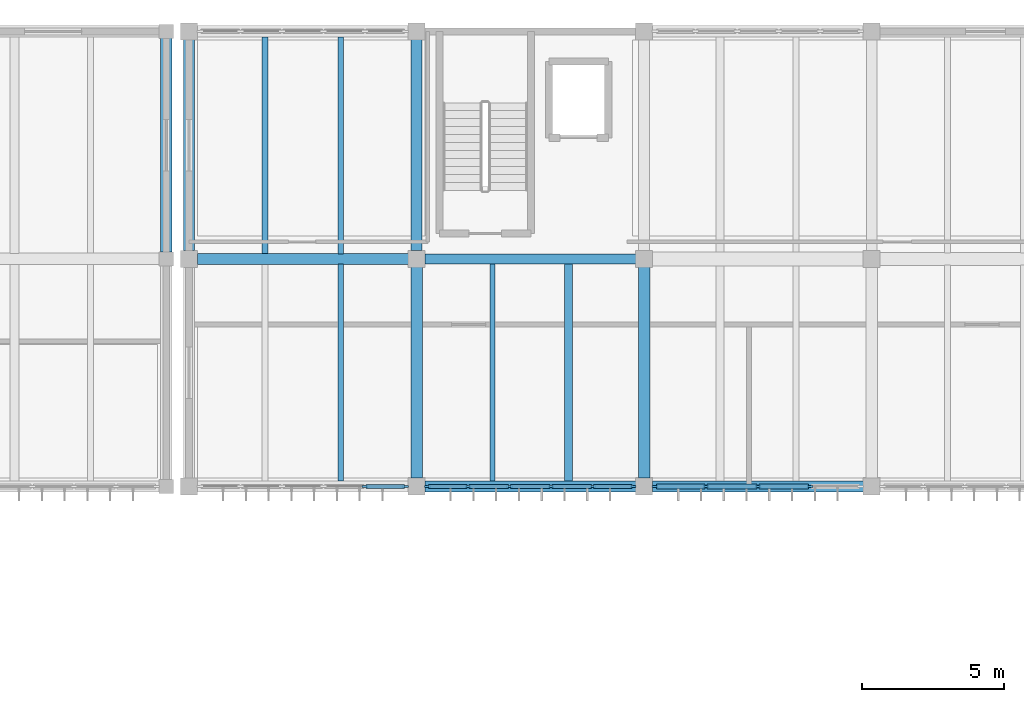
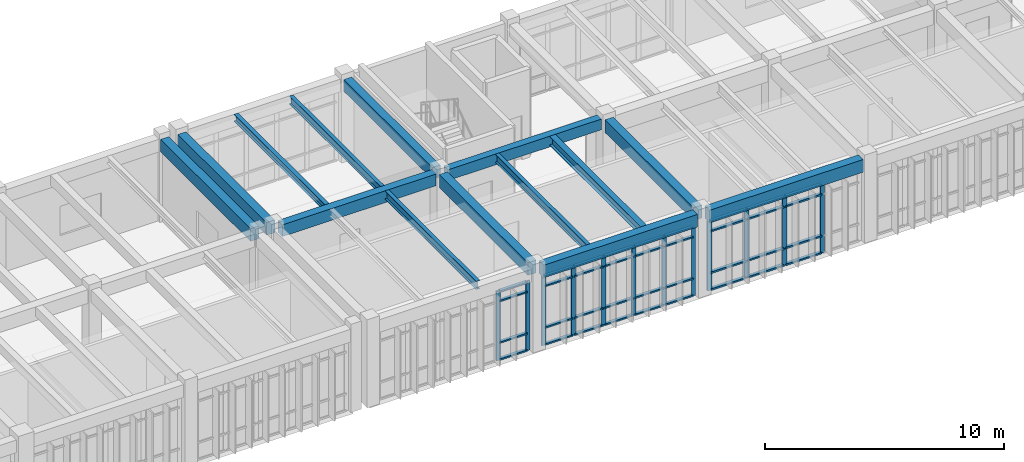
# One storey, part 27 of 79: 48 members, 14 beams, 3 elements without a shape of their own.
"""IFC4 building model written with IfcOpenShell, lengths in metres."""

import ifcopenshell
import ifcopenshell.guid

model = None  # the IFC model being written
_history = None  # IfcOwnerHistory: only IFC2X3 demands one
_inside = {}  # id of a spatial element -> (the spatial element, [elements in it])
_under = {}  # id of a project, library or spatial element -> (it, [spatial elements below it])
_declared = {}  # id of a project -> (the project, [libraries it declares])
_typed = {}  # id of a type object -> (the type object, [elements of that type])
_made_of = {}  # id of a material, layer set ... -> (it, [elements and type objects made of it])


def new_model(schema):
    """Start an empty IFC model of exactly this schema.

    Asked for "IFC4X3", IfcOpenShell would pick the latest addendum, in which some entities
    have other attributes; the version numbers below select the first issue.
    IFC2X3 requires an IfcOwnerHistory on every rooted entity: one is made here for all.
    """
    global model, _history
    if schema == "IFC4X3":
        model = ifcopenshell.file(schema_version=(4, 3, 0, 0))
    else:
        model = ifcopenshell.file(schema=schema)
    _inside.clear()
    _under.clear()
    _declared.clear()
    _typed.clear()
    _made_of.clear()
    _history = None
    if model.schema == "IFC2X3":
        org = make("IfcOrganization", Name="unknown")
        user = make(
            "IfcPersonAndOrganization",
            ThePerson=make("IfcPerson", FamilyName="unknown"),
            TheOrganization=org,
        )
        app = make(
            "IfcApplication",
            ApplicationDeveloper=org,
            Version="unknown",
            ApplicationFullName="unknown",
            ApplicationIdentifier="unknown",
        )
        _history = make(
            "IfcOwnerHistory",
            OwningUser=user,
            OwningApplication=app,
            ChangeAction="ADDED",
            CreationDate=0,
        )
    return model


def make(cls, **values):
    """One entity of the class cls with the attributes given. An attribute that is None is left unset."""
    return model.create_entity(
        cls, **{name: value for name, value in values.items() if value is not None}
    )


def rooted(cls, **values):
    """An entity with a GlobalId (a new one), such as an element, a storey or a relation."""
    return make(cls, GlobalId=ifcopenshell.guid.new(), OwnerHistory=_history, **values)


def si_unit(unit_type, name, prefix=None):
    """IfcSIUnit, for example si_unit("LENGTHUNIT", "METRE", prefix="MILLI")."""
    return make("IfcSIUnit", UnitType=unit_type, Prefix=prefix, Name=name)


def assignment(units):
    """IfcUnitAssignment: the units of a project."""
    return None if units is None else make("IfcUnitAssignment", Units=units)


def point(xyz):
    """IfcCartesianPoint."""
    return None if xyz is None else make("IfcCartesianPoint", Coordinates=xyz)


def direction(xyz):
    """IfcDirection."""
    return None if xyz is None else make("IfcDirection", DirectionRatios=xyz)


def frame(location, z_axis=None, x_axis=None):
    """IfcAxis2Placement3D, a coordinate frame: its origin and axes. An axis left out is left unset."""
    return make(
        "IfcAxis2Placement3D",
        Location=point(location),
        Axis=direction(z_axis),
        RefDirection=direction(x_axis),
    )


def frame_2d(location, x_axis=None):
    """IfcAxis2Placement2D, a coordinate frame in the plane: its origin and x axis."""
    return make(
        "IfcAxis2Placement2D", Location=point(location), RefDirection=direction(x_axis)
    )


def origin():
    """The frame at (0, 0, 0) with its axes left unset."""
    return frame((0.0, 0.0, 0.0))


def origin_2d():
    """The frame at (0, 0) in the plane with its x axis left unset."""
    return frame_2d((0.0, 0.0))


def place(relative_to, where):
    """IfcLocalPlacement: puts the frame where relative to a parent placement (None: the world)."""
    return make(
        "IfcLocalPlacement", PlacementRelTo=relative_to, RelativePlacement=where
    )


def context(
    kind, dimensions, precision=None, world=None, true_north=None, identifier=None
):
    """IfcGeometricRepresentationContext, for example the 3D "Model" context."""
    return make(
        "IfcGeometricRepresentationContext",
        ContextIdentifier=identifier,
        ContextType=kind,
        CoordinateSpaceDimension=dimensions,
        Precision=precision,
        WorldCoordinateSystem=world,
        TrueNorth=true_north,
    )


def subcontext(parent, identifier, kind, view, scale=None):
    """IfcGeometricRepresentationSubContext, for example "Body" below "Model"."""
    return make(
        "IfcGeometricRepresentationSubContext",
        ContextIdentifier=identifier,
        ContextType=kind,
        ParentContext=parent,
        TargetScale=scale,
        TargetView=view,
    )


def project(units=None, contexts=None):
    """IfcProject with its units and contexts."""
    return rooted(
        "IfcProject",
        Name="project",
        RepresentationContexts=contexts,
        UnitsInContext=assignment(units),
    )


def spatial(cls, under=None, at=None, **own):
    """A site, building, storey or space (cls), placed at a placement, below another one or the project."""
    s = rooted(cls, ObjectPlacement=at, **own)
    if under is not None:
        _under.setdefault(under.id(), (under, []))[1].append(s)
    return s


def profile(cls, at=None, kind="AREA", **sizes):
    """A parametric profile (cls). Its sizes go by their IFC names, for example OverallWidth=200.0."""
    return make(cls, ProfileType=kind, Position=at, **sizes)


def rectangle(**sizes):
    """IfcRectangleProfileDef."""
    return profile("IfcRectangleProfileDef", **sizes)


def i_section(**sizes):
    """IfcIShapeProfileDef."""
    return profile("IfcIShapeProfileDef", **sizes)


def extrude(swept, where, along, depth):
    """IfcExtrudedAreaSolid: the profile swept, set in the frame where, extruded along a direction by depth."""
    return make(
        "IfcExtrudedAreaSolid",
        SweptArea=swept,
        Position=where,
        ExtrudedDirection=direction(along),
        Depth=depth,
    )


def shape(context_of_items, identifier, shape_type, items):
    """IfcShapeRepresentation: the items that make up one representation, for example the "Body"."""
    return make(
        "IfcShapeRepresentation",
        ContextOfItems=context_of_items,
        RepresentationIdentifier=identifier,
        RepresentationType=shape_type,
        Items=items,
    )


def material(Name=None, Category=None):
    """IfcMaterial."""
    return make("IfcMaterial", Name=Name, Category=Category)


def material_profile(
    of_material, cross_section, Name=None, Category=None, Priority=None
):
    """IfcMaterialProfile: a cross section and its material."""
    return make(
        "IfcMaterialProfile",
        Name=Name,
        Material=of_material,
        Profile=cross_section,
        Priority=Priority,
        Category=Category,
    )


def profile_set(profiles, Name=None, composite=None):
    """IfcMaterialProfileSet."""
    return make(
        "IfcMaterialProfileSet",
        Name=Name,
        MaterialProfiles=profiles,
        CompositeProfile=composite,
    )


def made_of(thing, what):
    """Note that an element or type object is made of a material, layer set ...; save() writes the relation."""
    if what is not None:
        _made_of.setdefault(what.id(), (what, []))[1].append(thing)
    return thing


def type_object(cls, material=None, **own):
    """A type object (cls), such as IfcWallType, which elements share."""
    return made_of(rooted(cls, **own), material)


def element(
    cls,
    number,
    at=None,
    inside=None,
    cuts=None,
    type_object=None,
    material=None,
    context=None,
    identifier="Body",
    shape_type=None,
    held_by="IfcProductDefinitionShape",
    body=None,
    shapes=None,
    **own,
):
    """One element of the class cls, such as IfcWall. Its Tag is "e" and its number.

    at: its placement. inside: the storey or other place that contains it. cuts: it is an
    opening in that element (IfcRelVoidsElement). A single representation is given by context,
    identifier, shape_type and body (its items); several are given by shapes. held_by: the class
    of the entity that holds the representations. save() writes the other relations.
    """
    e = rooted(cls, Tag="e%d" % number, ObjectPlacement=at, **own)
    if body is not None:
        shapes = [shape(context, identifier, shape_type, body)]
    if shapes is not None:
        e.Representation = make(held_by, Representations=shapes)
    if inside is not None:
        _inside.setdefault(inside.id(), (inside, []))[1].append(e)
    if cuts is not None:
        rooted(
            "IfcRelVoidsElement", RelatingBuildingElement=cuts, RelatedOpeningElement=e
        )
    if type_object is not None:
        _typed.setdefault(type_object.id(), (type_object, []))[1].append(e)
    return made_of(e, material)


def aggregate(whole, parts):
    """IfcRelAggregates: a whole, such as a stair, and the parts it consists of."""
    return rooted("IfcRelAggregates", RelatingObject=whole, RelatedObjects=parts)


def save(model, path):
    """Write the relations noted so far, then the file.

    IfcRelAggregates (storeys below a building ...), IfcRelContainedInSpatialStructure (elements
    in a storey), IfcRelDefinesByType, IfcRelAssociatesMaterial and IfcRelDeclares: one each for
    every whole, place, type object, material and project.
    """
    for whole, parts in _under.values():
        aggregate(whole, parts)
    for where, things in _inside.values():
        rooted(
            "IfcRelContainedInSpatialStructure",
            RelatedElements=things,
            RelatingStructure=where,
        )
    for kind, things in _typed.values():
        rooted("IfcRelDefinesByType", RelatedObjects=things, RelatingType=kind)
    for what, things in _made_of.values():
        rooted("IfcRelAssociatesMaterial", RelatedObjects=things, RelatingMaterial=what)
    for by, libraries in _declared.values():
        rooted("IfcRelDeclares", RelatingContext=by, RelatedDefinitions=libraries)
    model.write(path)


model = new_model("IFC4")

# Units and contexts
model_context = context("Model", 3, precision=1e-05, world=origin(), true_north=direction((0.0, 1.0)))
body_context = subcontext(model_context, "Body", "Model", "MODEL_VIEW")
ifc_project = project(units=[si_unit("LENGTHUNIT", "METRE"), si_unit("AREAUNIT", "SQUARE_METRE"), si_unit("VOLUMEUNIT", "CUBIC_METRE"), si_unit("PLANEANGLEUNIT", "RADIAN"), si_unit("MASSUNIT", "GRAM", prefix="KILO")], contexts=[model_context])

# Site, building, storey
site_placement = place(None, origin())
site = spatial("IfcSite", under=ifc_project, at=site_placement, CompositionType="ELEMENT")
building_placement = place(site_placement, origin())
building = spatial("IfcBuilding", under=site, at=building_placement, Name="Tlaxcora Railside Police Headquarters", CompositionType="ELEMENT")
storey_placement = place(building_placement, frame((0.0, 0.0, 9.0)))
storey = spatial("IfcBuildingStorey", under=building, at=storey_placement, Name="L02", CompositionType="ELEMENT", Elevation=9.0)

# Curtain wall, members
ifc_material_1 = material(Name="Thermally broken low-E insulated glazing", Category="glass")
curtain_wall_type_1 = type_object("IfcCurtainWallType", Name="Unitised Curtain Wall Assembly CW-38", PredefinedType="NOTDEFINED", material=ifc_material_1)
curtain_wall_1_placement = place(storey_placement, origin())
curtain_wall_1 = element("IfcCurtainWall", 1, at=curtain_wall_1_placement, inside=storey, type_object=curtain_wall_type_1, Name="V6 L02 curtain wall 153", PredefinedType="NOTDEFINED")
ifc_material_2 = material(Name="Anodised aluminium framing", Category="aluminium")
ifc_material_profile_1 = material_profile(ifc_material_2, rectangle(XDim=0.074951171875, YDim=0.205078125, at=origin_2d()), Name="AL75X205")
ifc_profile_set_1 = profile_set([ifc_material_profile_1], Name="Anodised aluminium framing")
member_type_1 = type_object("IfcMemberType", Name="Curtain Wall Mullion CW-32", PredefinedType="MULLION", material=ifc_profile_set_1)
member_1_placement = place(storey_placement, frame((108.989990234375, 76.800048828125, 0.0), z_axis=(0.0, 0.0, 1.0), x_axis=(0.0, 1.0, 0.0)))
member_1 = element("IfcMember", 2, at=member_1_placement, type_object=member_type_1, Name="CW mullion 5", PredefinedType="MULLION", context=body_context, shape_type="SweptSolid", body=[
    extrude(rectangle(XDim=0.074951171875, YDim=0.205078125, at=origin_2d()), origin(), (0.0, 0.0, 1.0), 3.550048828125),
])
member_2_placement = place(storey_placement, frame((110.41259765625, 76.800048828125, 0.0), z_axis=(0.0, 0.0, 1.0), x_axis=(0.0, 1.0, 0.0)))
member_2 = element("IfcMember", 3, at=member_2_placement, type_object=member_type_1, Name="CW mullion 6", PredefinedType="MULLION", context=body_context, shape_type="SweptSolid", body=[
    extrude(rectangle(XDim=0.074951171875, YDim=0.205078125, at=origin_2d()), origin(), (0.0, 0.0, 1.0), 3.550048828125),
])

curtain_wall_type_2 = type_object("IfcCurtainWallType", Name="Unitised Curtain Wall Assembly CW-15", PredefinedType="NOTDEFINED", material=ifc_material_1)
curtain_wall_2_placement = place(storey_placement, origin())
curtain_wall_2 = element("IfcCurtainWall", 4, at=curtain_wall_2_placement, inside=storey, type_object=curtain_wall_type_2, Name="V6 L02 curtain wall 154", PredefinedType="NOTDEFINED")
ifc_material_profile_2 = material_profile(ifc_material_2, rectangle(XDim=0.074951171875, YDim=0.199951171875, at=origin_2d()), Name="AL75X200")
ifc_profile_set_2 = profile_set([ifc_material_profile_2], Name="Anodised aluminium framing")
member_type_2 = type_object("IfcMemberType", Name="Curtain Wall Mullion CW-58", PredefinedType="MULLION", material=ifc_profile_set_2)
member_3_placement = place(storey_placement, frame((111.1875, 76.800048828125, 0.0), z_axis=(0.0, 0.0, 1.0), x_axis=(0.0, 1.0, 0.0)))
member_3 = element("IfcMember", 5, at=member_3_placement, type_object=member_type_2, Name="CW mullion 1", PredefinedType="MULLION", context=body_context, shape_type="SweptSolid", body=[
    extrude(rectangle(XDim=0.074951171875, YDim=0.199951171875, at=origin_2d()), origin(), (0.0, 0.0, 1.0), 3.550048828125),
])
member_4_placement = place(storey_placement, frame((112.610107421875, 76.800048828125, 0.0), z_axis=(0.0, 0.0, 1.0), x_axis=(0.0, 1.0, 0.0)))
member_4 = element("IfcMember", 6, at=member_4_placement, type_object=member_type_2, Name="CW mullion 2", PredefinedType="MULLION", context=body_context, shape_type="SweptSolid", body=[
    extrude(rectangle(XDim=0.074951171875, YDim=0.199951171875, at=origin_2d()), origin(), (0.0, 0.0, 1.0), 3.550048828125),
])
member_5_placement = place(storey_placement, frame((114.070068359375, 76.800048828125, 0.0), z_axis=(0.0, 0.0, 1.0), x_axis=(0.0, 1.0, 0.0)))
member_5 = element("IfcMember", 7, at=member_5_placement, type_object=member_type_2, Name="CW mullion 3", PredefinedType="MULLION", context=body_context, shape_type="SweptSolid", body=[
    extrude(rectangle(XDim=0.074951171875, YDim=0.199951171875, at=origin_2d()), origin(), (0.0, 0.0, 1.0), 3.550048828125),
])
member_6_placement = place(storey_placement, frame((115.530029296875, 76.800048828125, 0.0), z_axis=(0.0, 0.0, 1.0), x_axis=(0.0, 1.0, 0.0)))
member_6 = element("IfcMember", 8, at=member_6_placement, type_object=member_type_2, Name="CW mullion 4", PredefinedType="MULLION", context=body_context, shape_type="SweptSolid", body=[
    extrude(rectangle(XDim=0.074951171875, YDim=0.199951171875, at=origin_2d()), origin(), (0.0, 0.0, 1.0), 3.550048828125),
])
member_7_placement = place(storey_placement, frame((116.989990234375, 76.800048828125, 0.0), z_axis=(0.0, 0.0, 1.0), x_axis=(0.0, 1.0, 0.0)))
member_7 = element("IfcMember", 9, at=member_7_placement, type_object=member_type_2, Name="CW mullion 5", PredefinedType="MULLION", context=body_context, shape_type="SweptSolid", body=[
    extrude(rectangle(XDim=0.074951171875, YDim=0.199951171875, at=origin_2d()), origin(), (0.0, 0.0, 1.0), 3.550048828125),
])
member_8_placement = place(storey_placement, frame((118.41259765625, 76.800048828125, 0.0), z_axis=(0.0, 0.0, 1.0), x_axis=(0.0, 1.0, 0.0)))
member_8 = element("IfcMember", 10, at=member_8_placement, type_object=member_type_2, Name="CW mullion 6", PredefinedType="MULLION", context=body_context, shape_type="SweptSolid", body=[
    extrude(rectangle(XDim=0.074951171875, YDim=0.199951171875, at=origin_2d()), origin(), (0.0, 0.0, 1.0), 3.550048828125),
])

curtain_wall_type_3 = type_object("IfcCurtainWallType", Name="Unitised Curtain Wall Assembly CW-83", PredefinedType="NOTDEFINED", material=ifc_material_1)
curtain_wall_3_placement = place(storey_placement, origin())
curtain_wall_3 = element("IfcCurtainWall", 11, at=curtain_wall_3_placement, inside=storey, type_object=curtain_wall_type_3, Name="V6 L02 curtain wall 155", PredefinedType="NOTDEFINED")
ifc_material_profile_3 = material_profile(ifc_material_2, rectangle(XDim=0.080078125, YDim=0.2099609375, at=origin_2d()), Name="AL80X210")
ifc_profile_set_3 = profile_set([ifc_material_profile_3], Name="Anodised aluminium framing")
member_type_3 = type_object("IfcMemberType", Name="Curtain Wall Mullion CW-76", PredefinedType="MULLION", material=ifc_profile_set_3)
member_9_placement = place(storey_placement, frame((119.18994140625, 76.800048828125, 0.0), z_axis=(0.0, 0.0, 1.0), x_axis=(0.0, 1.0, 0.0)))
member_9 = element("IfcMember", 12, at=member_9_placement, type_object=member_type_3, Name="CW mullion 1", PredefinedType="MULLION", context=body_context, shape_type="SweptSolid", body=[
    extrude(rectangle(XDim=0.080078125, YDim=0.2099609375, at=origin_2d()), origin(), (0.0, 0.0, 1.0), 3.550048828125),
])
member_10_placement = place(storey_placement, frame((120.97509765625, 76.800048828125, 0.0), z_axis=(0.0, 0.0, 1.0), x_axis=(0.0, 1.0, 0.0)))
member_10 = element("IfcMember", 13, at=member_10_placement, type_object=member_type_3, Name="CW mullion 2", PredefinedType="MULLION", context=body_context, shape_type="SweptSolid", body=[
    extrude(rectangle(XDim=0.080078125, YDim=0.2099609375, at=origin_2d()), origin(), (0.0, 0.0, 1.0), 3.550048828125),
])
member_11_placement = place(storey_placement, frame((122.800048828125, 76.800048828125, 0.0), z_axis=(0.0, 0.0, 1.0), x_axis=(0.0, 1.0, 0.0)))
member_11 = element("IfcMember", 14, at=member_11_placement, type_object=member_type_3, Name="CW mullion 3", PredefinedType="MULLION", context=body_context, shape_type="SweptSolid", body=[
    extrude(rectangle(XDim=0.080078125, YDim=0.2099609375, at=origin_2d()), origin(), (0.0, 0.0, 1.0), 3.550048828125),
])
member_12_placement = place(storey_placement, frame((124.625, 76.800048828125, 0.0), z_axis=(0.0, 0.0, 1.0), x_axis=(0.0, 1.0, 0.0)))
member_12 = element("IfcMember", 15, at=member_12_placement, type_object=member_type_3, Name="CW mullion 4", PredefinedType="MULLION", context=body_context, shape_type="SweptSolid", body=[
    extrude(rectangle(XDim=0.080078125, YDim=0.2099609375, at=origin_2d()), origin(), (0.0, 0.0, 1.0), 3.550048828125),
])

# Member
ifc_material_profile_4 = material_profile(ifc_material_2, rectangle(XDim=0.14990234375, YDim=0.074951171875, at=origin_2d()), Name="AL75X150")
ifc_profile_set_4 = profile_set([ifc_material_profile_4], Name="Anodised aluminium framing")
member_type_4 = type_object("IfcMemberType", Name="Curtain Wall Transom CW-28", PredefinedType="USERDEFINED", material=ifc_profile_set_4)
member_13_placement = place(storey_placement, frame((111.22509765625, 76.800048828125, 0.03759765625), z_axis=(1.0, 0.0, 0.0), x_axis=(0.0, 1.0, 0.0)))
member_13 = element("IfcMember", 16, at=member_13_placement, type_object=member_type_4, Name="CW transom 1.1", ObjectType="TRANSOM", PredefinedType="USERDEFINED", context=body_context, shape_type="SweptSolid", body=[
    extrude(rectangle(XDim=0.14990234375, YDim=0.074951171875, at=origin_2d()), origin(), (0.0, 0.0, 1.0), 1.347412109375),
])

member_14_placement = place(storey_placement, frame((111.22509765625, 76.800048828125, 0.89990234375), z_axis=(1.0, 0.0, 0.0), x_axis=(0.0, 1.0, 0.0)))
member_14 = element("IfcMember", 17, at=member_14_placement, type_object=member_type_4, Name="CW transom 1.2", ObjectType="TRANSOM", PredefinedType="USERDEFINED", context=body_context, shape_type="SweptSolid", body=[
    extrude(rectangle(XDim=0.14990234375, YDim=0.074951171875, at=origin_2d()), origin(), (0.0, 0.0, 1.0), 1.347412109375),
])

member_15_placement = place(storey_placement, frame((111.22509765625, 76.800048828125, 3.02001953125), z_axis=(1.0, 0.0, 0.0), x_axis=(0.0, 1.0, 0.0)))
member_15 = element("IfcMember", 18, at=member_15_placement, type_object=member_type_4, Name="CW transom 1.3", ObjectType="TRANSOM", PredefinedType="USERDEFINED", context=body_context, shape_type="SweptSolid", body=[
    extrude(rectangle(XDim=0.14990234375, YDim=0.074951171875, at=origin_2d()), origin(), (0.0, 0.0, 1.0), 1.347412109375),
])

member_16_placement = place(storey_placement, frame((111.22509765625, 76.800048828125, 3.512451171875), z_axis=(1.0, 0.0, 0.0), x_axis=(0.0, 1.0, 0.0)))
member_16 = element("IfcMember", 19, at=member_16_placement, type_object=member_type_4, Name="CW transom 1.4", ObjectType="TRANSOM", PredefinedType="USERDEFINED", context=body_context, shape_type="SweptSolid", body=[
    extrude(rectangle(XDim=0.14990234375, YDim=0.074951171875, at=origin_2d()), origin(), (0.0, 0.0, 1.0), 1.347412109375),
])

member_17_placement = place(storey_placement, frame((112.6474609375, 76.800048828125, 0.03759765625), z_axis=(1.0, 0.0, 0.0), x_axis=(0.0, 1.0, 0.0)))
member_17 = element("IfcMember", 20, at=member_17_placement, type_object=member_type_4, Name="CW transom 2.1", ObjectType="TRANSOM", PredefinedType="USERDEFINED", context=body_context, shape_type="SweptSolid", body=[
    extrude(rectangle(XDim=0.14990234375, YDim=0.074951171875, at=origin_2d()), origin(), (0.0, 0.0, 1.0), 1.385009765625),
])

member_18_placement = place(storey_placement, frame((112.6474609375, 76.800048828125, 0.89990234375), z_axis=(1.0, 0.0, 0.0), x_axis=(0.0, 1.0, 0.0)))
member_18 = element("IfcMember", 21, at=member_18_placement, type_object=member_type_4, Name="CW transom 2.2", ObjectType="TRANSOM", PredefinedType="USERDEFINED", context=body_context, shape_type="SweptSolid", body=[
    extrude(rectangle(XDim=0.14990234375, YDim=0.074951171875, at=origin_2d()), origin(), (0.0, 0.0, 1.0), 1.385009765625),
])

member_19_placement = place(storey_placement, frame((112.6474609375, 76.800048828125, 3.02001953125), z_axis=(1.0, 0.0, 0.0), x_axis=(0.0, 1.0, 0.0)))
member_19 = element("IfcMember", 22, at=member_19_placement, type_object=member_type_4, Name="CW transom 2.3", ObjectType="TRANSOM", PredefinedType="USERDEFINED", context=body_context, shape_type="SweptSolid", body=[
    extrude(rectangle(XDim=0.14990234375, YDim=0.074951171875, at=origin_2d()), origin(), (0.0, 0.0, 1.0), 1.385009765625),
])

member_20_placement = place(storey_placement, frame((112.6474609375, 76.800048828125, 3.512451171875), z_axis=(1.0, 0.0, 0.0), x_axis=(0.0, 1.0, 0.0)))
member_20 = element("IfcMember", 23, at=member_20_placement, type_object=member_type_4, Name="CW transom 2.4", ObjectType="TRANSOM", PredefinedType="USERDEFINED", context=body_context, shape_type="SweptSolid", body=[
    extrude(rectangle(XDim=0.14990234375, YDim=0.074951171875, at=origin_2d()), origin(), (0.0, 0.0, 1.0), 1.385009765625),
])

member_21_placement = place(storey_placement, frame((114.107421875, 76.800048828125, 0.03759765625), z_axis=(1.0, 0.0, 0.0), x_axis=(0.0, 1.0, 0.0)))
member_21 = element("IfcMember", 24, at=member_21_placement, type_object=member_type_4, Name="CW transom 3.1", ObjectType="TRANSOM", PredefinedType="USERDEFINED", context=body_context, shape_type="SweptSolid", body=[
    extrude(rectangle(XDim=0.14990234375, YDim=0.074951171875, at=origin_2d()), origin(), (0.0, 0.0, 1.0), 1.385009765625),
])

member_22_placement = place(storey_placement, frame((114.107421875, 76.800048828125, 0.89990234375), z_axis=(1.0, 0.0, 0.0), x_axis=(0.0, 1.0, 0.0)))
member_22 = element("IfcMember", 25, at=member_22_placement, type_object=member_type_4, Name="CW transom 3.2", ObjectType="TRANSOM", PredefinedType="USERDEFINED", context=body_context, shape_type="SweptSolid", body=[
    extrude(rectangle(XDim=0.14990234375, YDim=0.074951171875, at=origin_2d()), origin(), (0.0, 0.0, 1.0), 1.385009765625),
])

member_23_placement = place(storey_placement, frame((114.107421875, 76.800048828125, 3.02001953125), z_axis=(1.0, 0.0, 0.0), x_axis=(0.0, 1.0, 0.0)))
member_23 = element("IfcMember", 26, at=member_23_placement, type_object=member_type_4, Name="CW transom 3.3", ObjectType="TRANSOM", PredefinedType="USERDEFINED", context=body_context, shape_type="SweptSolid", body=[
    extrude(rectangle(XDim=0.14990234375, YDim=0.074951171875, at=origin_2d()), origin(), (0.0, 0.0, 1.0), 1.385009765625),
])

member_24_placement = place(storey_placement, frame((114.107421875, 76.800048828125, 3.512451171875), z_axis=(1.0, 0.0, 0.0), x_axis=(0.0, 1.0, 0.0)))
member_24 = element("IfcMember", 27, at=member_24_placement, type_object=member_type_4, Name="CW transom 3.4", ObjectType="TRANSOM", PredefinedType="USERDEFINED", context=body_context, shape_type="SweptSolid", body=[
    extrude(rectangle(XDim=0.14990234375, YDim=0.074951171875, at=origin_2d()), origin(), (0.0, 0.0, 1.0), 1.385009765625),
])

member_25_placement = place(storey_placement, frame((115.5673828125, 76.800048828125, 0.03759765625), z_axis=(1.0, 0.0, 0.0), x_axis=(0.0, 1.0, 0.0)))
member_25 = element("IfcMember", 28, at=member_25_placement, type_object=member_type_4, Name="CW transom 4.1", ObjectType="TRANSOM", PredefinedType="USERDEFINED", context=body_context, shape_type="SweptSolid", body=[
    extrude(rectangle(XDim=0.14990234375, YDim=0.074951171875, at=origin_2d()), origin(), (0.0, 0.0, 1.0), 1.385009765625),
])

member_26_placement = place(storey_placement, frame((115.5673828125, 76.800048828125, 0.89990234375), z_axis=(1.0, 0.0, 0.0), x_axis=(0.0, 1.0, 0.0)))
member_26 = element("IfcMember", 29, at=member_26_placement, type_object=member_type_4, Name="CW transom 4.2", ObjectType="TRANSOM", PredefinedType="USERDEFINED", context=body_context, shape_type="SweptSolid", body=[
    extrude(rectangle(XDim=0.14990234375, YDim=0.074951171875, at=origin_2d()), origin(), (0.0, 0.0, 1.0), 1.385009765625),
])

member_27_placement = place(storey_placement, frame((115.5673828125, 76.800048828125, 3.02001953125), z_axis=(1.0, 0.0, 0.0), x_axis=(0.0, 1.0, 0.0)))
member_27 = element("IfcMember", 30, at=member_27_placement, type_object=member_type_4, Name="CW transom 4.3", ObjectType="TRANSOM", PredefinedType="USERDEFINED", context=body_context, shape_type="SweptSolid", body=[
    extrude(rectangle(XDim=0.14990234375, YDim=0.074951171875, at=origin_2d()), origin(), (0.0, 0.0, 1.0), 1.385009765625),
])

member_28_placement = place(storey_placement, frame((115.5673828125, 76.800048828125, 3.512451171875), z_axis=(1.0, 0.0, 0.0), x_axis=(0.0, 1.0, 0.0)))
member_28 = element("IfcMember", 31, at=member_28_placement, type_object=member_type_4, Name="CW transom 4.4", ObjectType="TRANSOM", PredefinedType="USERDEFINED", context=body_context, shape_type="SweptSolid", body=[
    extrude(rectangle(XDim=0.14990234375, YDim=0.074951171875, at=origin_2d()), origin(), (0.0, 0.0, 1.0), 1.385009765625),
])

member_29_placement = place(storey_placement, frame((117.027587890625, 76.800048828125, 0.03759765625), z_axis=(1.0, 0.0, 0.0), x_axis=(0.0, 1.0, 0.0)))
member_29 = element("IfcMember", 32, at=member_29_placement, type_object=member_type_4, Name="CW transom 5.1", ObjectType="TRANSOM", PredefinedType="USERDEFINED", context=body_context, shape_type="SweptSolid", body=[
    extrude(rectangle(XDim=0.14990234375, YDim=0.074951171875, at=origin_2d()), origin(), (0.0, 0.0, 1.0), 1.347412109375),
])

member_30_placement = place(storey_placement, frame((117.027587890625, 76.800048828125, 0.89990234375), z_axis=(1.0, 0.0, 0.0), x_axis=(0.0, 1.0, 0.0)))
member_30 = element("IfcMember", 33, at=member_30_placement, type_object=member_type_4, Name="CW transom 5.2", ObjectType="TRANSOM", PredefinedType="USERDEFINED", context=body_context, shape_type="SweptSolid", body=[
    extrude(rectangle(XDim=0.14990234375, YDim=0.074951171875, at=origin_2d()), origin(), (0.0, 0.0, 1.0), 1.347412109375),
])

member_31_placement = place(storey_placement, frame((117.027587890625, 76.800048828125, 3.02001953125), z_axis=(1.0, 0.0, 0.0), x_axis=(0.0, 1.0, 0.0)))
member_31 = element("IfcMember", 34, at=member_31_placement, type_object=member_type_4, Name="CW transom 5.3", ObjectType="TRANSOM", PredefinedType="USERDEFINED", context=body_context, shape_type="SweptSolid", body=[
    extrude(rectangle(XDim=0.14990234375, YDim=0.074951171875, at=origin_2d()), origin(), (0.0, 0.0, 1.0), 1.347412109375),
])

member_32_placement = place(storey_placement, frame((117.027587890625, 76.800048828125, 3.512451171875), z_axis=(1.0, 0.0, 0.0), x_axis=(0.0, 1.0, 0.0)))
member_32 = element("IfcMember", 35, at=member_32_placement, type_object=member_type_4, Name="CW transom 5.4", ObjectType="TRANSOM", PredefinedType="USERDEFINED", context=body_context, shape_type="SweptSolid", body=[
    extrude(rectangle(XDim=0.14990234375, YDim=0.074951171875, at=origin_2d()), origin(), (0.0, 0.0, 1.0), 1.347412109375),
])

aggregate(curtain_wall_2, [member_3, member_4, member_5, member_6, member_7, member_8, member_13, member_14, member_15, member_16, member_17, member_18, member_19, member_20, member_21, member_22, member_23, member_24, member_25, member_26, member_27, member_28, member_29, member_30, member_31, member_32])

ifc_material_profile_5 = material_profile(ifc_material_2, rectangle(XDim=0.155029296875, YDim=0.074951171875, at=origin_2d()), Name="AL75X155")
ifc_profile_set_5 = profile_set([ifc_material_profile_5], Name="Anodised aluminium framing")
member_type_5 = type_object("IfcMemberType", Name="Curtain Wall Transom CW-30", PredefinedType="USERDEFINED", material=ifc_profile_set_5)
member_33_placement = place(storey_placement, frame((109.027587890625, 76.800048828125, 0.03759765625), z_axis=(1.0, 0.0, 0.0), x_axis=(0.0, 1.0, 0.0)))
member_33 = element("IfcMember", 36, at=member_33_placement, type_object=member_type_5, Name="CW transom 5.1", ObjectType="TRANSOM", PredefinedType="USERDEFINED", context=body_context, shape_type="SweptSolid", body=[
    extrude(rectangle(XDim=0.155029296875, YDim=0.074951171875, at=origin_2d()), origin(), (0.0, 0.0, 1.0), 1.347412109375),
])

member_34_placement = place(storey_placement, frame((109.027587890625, 76.800048828125, 0.89990234375), z_axis=(1.0, 0.0, 0.0), x_axis=(0.0, 1.0, 0.0)))
member_34 = element("IfcMember", 37, at=member_34_placement, type_object=member_type_5, Name="CW transom 5.2", ObjectType="TRANSOM", PredefinedType="USERDEFINED", context=body_context, shape_type="SweptSolid", body=[
    extrude(rectangle(XDim=0.155029296875, YDim=0.074951171875, at=origin_2d()), origin(), (0.0, 0.0, 1.0), 1.347412109375),
])

member_35_placement = place(storey_placement, frame((109.027587890625, 76.800048828125, 3.02001953125), z_axis=(1.0, 0.0, 0.0), x_axis=(0.0, 1.0, 0.0)))
member_35 = element("IfcMember", 38, at=member_35_placement, type_object=member_type_5, Name="CW transom 5.3", ObjectType="TRANSOM", PredefinedType="USERDEFINED", context=body_context, shape_type="SweptSolid", body=[
    extrude(rectangle(XDim=0.155029296875, YDim=0.074951171875, at=origin_2d()), origin(), (0.0, 0.0, 1.0), 1.347412109375),
])

member_36_placement = place(storey_placement, frame((109.027587890625, 76.800048828125, 3.512451171875), z_axis=(1.0, 0.0, 0.0), x_axis=(0.0, 1.0, 0.0)))
member_36 = element("IfcMember", 39, at=member_36_placement, type_object=member_type_5, Name="CW transom 5.4", ObjectType="TRANSOM", PredefinedType="USERDEFINED", context=body_context, shape_type="SweptSolid", body=[
    extrude(rectangle(XDim=0.155029296875, YDim=0.074951171875, at=origin_2d()), origin(), (0.0, 0.0, 1.0), 1.347412109375),
])

aggregate(curtain_wall_1, [member_1, member_2, member_33, member_34, member_35, member_36])

ifc_material_profile_6 = material_profile(ifc_material_2, rectangle(XDim=0.159912109375, YDim=0.080078125, at=origin_2d()), Name="AL80X160")
ifc_profile_set_6 = profile_set([ifc_material_profile_6], Name="Anodised aluminium framing")
member_type_6 = type_object("IfcMemberType", Name="Curtain Wall Transom CW-82", PredefinedType="USERDEFINED", material=ifc_profile_set_6)
member_37_placement = place(storey_placement, frame((119.22998046875, 76.800048828125, 0.0400390625), z_axis=(1.0, 0.0, 0.0), x_axis=(0.0, 1.0, 0.0)))
member_37 = element("IfcMember", 40, at=member_37_placement, type_object=member_type_6, Name="CW transom 1.1", ObjectType="TRANSOM", PredefinedType="USERDEFINED", context=body_context, shape_type="SweptSolid", body=[
    extrude(rectangle(XDim=0.159912109375, YDim=0.080078125, at=origin_2d()), origin(), (0.0, 0.0, 1.0), 1.705078125),
])

member_38_placement = place(storey_placement, frame((119.22998046875, 76.800048828125, 0.89990234375), z_axis=(1.0, 0.0, 0.0), x_axis=(0.0, 1.0, 0.0)))
member_38 = element("IfcMember", 41, at=member_38_placement, type_object=member_type_6, Name="CW transom 1.2", ObjectType="TRANSOM", PredefinedType="USERDEFINED", context=body_context, shape_type="SweptSolid", body=[
    extrude(rectangle(XDim=0.159912109375, YDim=0.080078125, at=origin_2d()), origin(), (0.0, 0.0, 1.0), 1.705078125),
])

member_39_placement = place(storey_placement, frame((119.22998046875, 76.800048828125, 3.02001953125), z_axis=(1.0, 0.0, 0.0), x_axis=(0.0, 1.0, 0.0)))
member_39 = element("IfcMember", 42, at=member_39_placement, type_object=member_type_6, Name="CW transom 1.3", ObjectType="TRANSOM", PredefinedType="USERDEFINED", context=body_context, shape_type="SweptSolid", body=[
    extrude(rectangle(XDim=0.159912109375, YDim=0.080078125, at=origin_2d()), origin(), (0.0, 0.0, 1.0), 1.705078125),
])

member_40_placement = place(storey_placement, frame((119.22998046875, 76.800048828125, 3.510009765625), z_axis=(1.0, 0.0, 0.0), x_axis=(0.0, 1.0, 0.0)))
member_40 = element("IfcMember", 43, at=member_40_placement, type_object=member_type_6, Name="CW transom 1.4", ObjectType="TRANSOM", PredefinedType="USERDEFINED", context=body_context, shape_type="SweptSolid", body=[
    extrude(rectangle(XDim=0.159912109375, YDim=0.080078125, at=origin_2d()), origin(), (0.0, 0.0, 1.0), 1.705078125),
])

member_41_placement = place(storey_placement, frame((121.014892578125, 76.800048828125, 0.0400390625), z_axis=(1.0, 0.0, 0.0), x_axis=(0.0, 1.0, 0.0)))
member_41 = element("IfcMember", 44, at=member_41_placement, type_object=member_type_6, Name="CW transom 2.1", ObjectType="TRANSOM", PredefinedType="USERDEFINED", context=body_context, shape_type="SweptSolid", body=[
    extrude(rectangle(XDim=0.159912109375, YDim=0.080078125, at=origin_2d()), origin(), (0.0, 0.0, 1.0), 1.7451171875),
])

member_42_placement = place(storey_placement, frame((121.014892578125, 76.800048828125, 0.89990234375), z_axis=(1.0, 0.0, 0.0), x_axis=(0.0, 1.0, 0.0)))
member_42 = element("IfcMember", 45, at=member_42_placement, type_object=member_type_6, Name="CW transom 2.2", ObjectType="TRANSOM", PredefinedType="USERDEFINED", context=body_context, shape_type="SweptSolid", body=[
    extrude(rectangle(XDim=0.159912109375, YDim=0.080078125, at=origin_2d()), origin(), (0.0, 0.0, 1.0), 1.7451171875),
])

member_43_placement = place(storey_placement, frame((121.014892578125, 76.800048828125, 3.02001953125), z_axis=(1.0, 0.0, 0.0), x_axis=(0.0, 1.0, 0.0)))
member_43 = element("IfcMember", 46, at=member_43_placement, type_object=member_type_6, Name="CW transom 2.3", ObjectType="TRANSOM", PredefinedType="USERDEFINED", context=body_context, shape_type="SweptSolid", body=[
    extrude(rectangle(XDim=0.159912109375, YDim=0.080078125, at=origin_2d()), origin(), (0.0, 0.0, 1.0), 1.7451171875),
])

member_44_placement = place(storey_placement, frame((121.014892578125, 76.800048828125, 3.510009765625), z_axis=(1.0, 0.0, 0.0), x_axis=(0.0, 1.0, 0.0)))
member_44 = element("IfcMember", 47, at=member_44_placement, type_object=member_type_6, Name="CW transom 2.4", ObjectType="TRANSOM", PredefinedType="USERDEFINED", context=body_context, shape_type="SweptSolid", body=[
    extrude(rectangle(XDim=0.159912109375, YDim=0.080078125, at=origin_2d()), origin(), (0.0, 0.0, 1.0), 1.7451171875),
])

member_45_placement = place(storey_placement, frame((122.840087890625, 76.800048828125, 0.0400390625), z_axis=(1.0, 0.0, 0.0), x_axis=(0.0, 1.0, 0.0)))
member_45 = element("IfcMember", 48, at=member_45_placement, type_object=member_type_6, Name="CW transom 3.1", ObjectType="TRANSOM", PredefinedType="USERDEFINED", context=body_context, shape_type="SweptSolid", body=[
    extrude(rectangle(XDim=0.159912109375, YDim=0.080078125, at=origin_2d()), origin(), (0.0, 0.0, 1.0), 1.744873046875),
])

member_46_placement = place(storey_placement, frame((122.840087890625, 76.800048828125, 0.89990234375), z_axis=(1.0, 0.0, 0.0), x_axis=(0.0, 1.0, 0.0)))
member_46 = element("IfcMember", 49, at=member_46_placement, type_object=member_type_6, Name="CW transom 3.2", ObjectType="TRANSOM", PredefinedType="USERDEFINED", context=body_context, shape_type="SweptSolid", body=[
    extrude(rectangle(XDim=0.159912109375, YDim=0.080078125, at=origin_2d()), origin(), (0.0, 0.0, 1.0), 1.744873046875),
])

member_47_placement = place(storey_placement, frame((122.840087890625, 76.800048828125, 3.02001953125), z_axis=(1.0, 0.0, 0.0), x_axis=(0.0, 1.0, 0.0)))
member_47 = element("IfcMember", 50, at=member_47_placement, type_object=member_type_6, Name="CW transom 3.3", ObjectType="TRANSOM", PredefinedType="USERDEFINED", context=body_context, shape_type="SweptSolid", body=[
    extrude(rectangle(XDim=0.159912109375, YDim=0.080078125, at=origin_2d()), origin(), (0.0, 0.0, 1.0), 1.744873046875),
])

member_48_placement = place(storey_placement, frame((122.840087890625, 76.800048828125, 3.510009765625), z_axis=(1.0, 0.0, 0.0), x_axis=(0.0, 1.0, 0.0)))
member_48 = element("IfcMember", 51, at=member_48_placement, type_object=member_type_6, Name="CW transom 3.4", ObjectType="TRANSOM", PredefinedType="USERDEFINED", context=body_context, shape_type="SweptSolid", body=[
    extrude(rectangle(XDim=0.159912109375, YDim=0.080078125, at=origin_2d()), origin(), (0.0, 0.0, 1.0), 1.744873046875),
])

aggregate(curtain_wall_3, [member_9, member_10, member_11, member_12, member_37, member_38, member_39, member_40, member_41, member_42, member_43, member_44, member_45, member_46, member_47, member_48])

# Beams
ifc_material_3 = material(Name="Concrete C40/50", Category="concrete")
ifc_material_profile_7 = material_profile(ifc_material_3, rectangle(XDim=0.39990234375, YDim=0.64990234375, at=origin_2d()), Name="RC400X650")
ifc_profile_set_7 = profile_set([ifc_material_profile_7], Name="Concrete C40/50")
beam_type_1 = type_object("IfcBeamType", Name="Perimeter Spandrel Beam BM-46", PredefinedType="SPANDREL", material=ifc_profile_set_7)
beam_1_placement = place(storey_placement, frame((102.0, 85.0400390625, 3.89501953125), z_axis=(0.0, 1.0, 0.0), x_axis=(-1.0, 0.0, 0.0)))
element("IfcBeam", 52, at=beam_1_placement, inside=storey, type_object=beam_type_1, Name="V5 L02 Y-girder X=102.0", PredefinedType="SPANDREL", context=body_context, shape_type="SweptSolid", body=[
    extrude(rectangle(XDim=0.39990234375, YDim=0.64990234375, at=origin_2d()), origin(), (0.0, 0.0, 1.0), 7.52001953125),
])
for number, where, z_axis, x_axis, name in (
    (53, (111.090087890625, 76.800048828125, 3.89501953125), (1.0, 0.0, 0.0), (0.0, 1.0, 0.0), "V6 L02 X-girder Y=76.8"),
    (54, (119.090087890625, 76.800048828125, 3.89501953125), (1.0, 0.0, 0.0), (0.0, 1.0, 0.0), "V6 L02 X-girder Y=76.8"),
    (55, (102.800048828125, 85.090087890625, 3.89501953125), (0.0, 1.0, 0.0), (-1.0, 0.0, 0.0), "V6 L02 Y-girder X=102.8"),
):
    element("IfcBeam", number, at=place(storey_placement, frame(where, z_axis=z_axis, x_axis=x_axis)), inside=storey, type_object=beam_type_1, Name=name, PredefinedType="SPANDREL", context=body_context, shape_type="SweptSolid", body=[
        extrude(rectangle(XDim=0.39990234375, YDim=0.64990234375, at=origin_2d()), origin(), (0.0, 0.0, 1.0), 7.419921875),
    ])
ifc_material_profile_8 = material_profile(ifc_material_3, rectangle(XDim=0.3798828125, YDim=0.60009765625, at=origin_2d()), Name="RC380X600")
ifc_profile_set_8 = profile_set([ifc_material_profile_8], Name="Concrete C40/50")
beam_type_2 = type_object("IfcBeamType", Name="Primary Frame Girder BM-22", PredefinedType="BEAM", material=ifc_profile_set_8)
for number, where, z_axis, x_axis, name in (
    (56, (103.090087890625, 84.800048828125, 3.919921875), (1.0, 0.0, 0.0), (0.0, 1.0, 0.0), "V6 L02 X-girder Y=84.8"),
    (57, (110.800048828125, 85.090087890625, 3.919921875), (0.0, 1.0, 0.0), (-1.0, 0.0, 0.0), "V6 L02 Y-girder X=110.8"),
):
    element("IfcBeam", number, at=place(storey_placement, frame(where, z_axis=z_axis, x_axis=x_axis)), inside=storey, type_object=beam_type_2, Name=name, PredefinedType="BEAM", context=body_context, shape_type="SweptSolid", body=[
        extrude(rectangle(XDim=0.3798828125, YDim=0.60009765625, at=origin_2d()), origin(), (0.0, 0.0, 1.0), 7.419921875),
    ])
ifc_material_profile_9 = material_profile(ifc_material_3, rectangle(XDim=0.35009765625, YDim=0.550048828125, at=origin_2d()), Name="RC350X550")
ifc_profile_set_9 = profile_set([ifc_material_profile_9], Name="Concrete C40/50")
beam_type_3 = type_object("IfcBeamType", Name="Primary Frame Girder BM-39", PredefinedType="BEAM", material=ifc_profile_set_9)
beam_2_placement = place(storey_placement, frame((111.090087890625, 84.800048828125, 3.945068359375), z_axis=(1.0, 0.0, 0.0), x_axis=(0.0, 1.0, 0.0)))
element("IfcBeam", 58, at=beam_2_placement, inside=storey, type_object=beam_type_3, Name="V6 L02 X-girder Y=84.8", PredefinedType="BEAM", context=body_context, shape_type="SweptSolid", body=[
    extrude(rectangle(XDim=0.35009765625, YDim=0.550048828125, at=origin_2d()), origin(), (0.0, 0.0, 1.0), 7.419921875),
])
ifc_material_profile_10 = material_profile(ifc_material_3, rectangle(XDim=0.39990234375, YDim=0.64990234375, at=origin_2d()), Name="RC400X650")
ifc_profile_set_10 = profile_set([ifc_material_profile_10], Name="Concrete C40/50")
beam_type_4 = type_object("IfcBeamType", Name="Primary Frame Girder BM-41", PredefinedType="BEAM", material=ifc_profile_set_10)
for number, where, z_axis, x_axis, name in (
    (59, (110.800048828125, 77.090087890625, 3.89501953125), (0.0, 1.0, 0.0), (-1.0, 0.0, 0.0), "V6 L02 Y-girder X=110.8"),
    (60, (118.800048828125, 77.090087890625, 3.89501953125), (0.0, 1.0, 0.0), (-1.0, 0.0, 0.0), "V6 L02 Y-girder X=118.8"),
):
    element("IfcBeam", number, at=place(storey_placement, frame(where, z_axis=z_axis, x_axis=x_axis)), inside=storey, type_object=beam_type_4, Name=name, PredefinedType="BEAM", context=body_context, shape_type="SweptSolid", body=[
        extrude(rectangle(XDim=0.39990234375, YDim=0.64990234375, at=origin_2d()), origin(), (0.0, 0.0, 1.0), 7.419921875),
    ])
ifc_material_4 = material(Name="Steel ASTM A992 Grade 50", Category="steel")
ifc_material_profile_11 = material_profile(ifc_material_4, i_section(OverallWidth=0.280029296875, OverallDepth=0.4619140625, WebThickness=0.0107421875, FlangeThickness=0.017333984375, at=origin_2d()), Name="W18X76")
ifc_profile_set_11 = profile_set([ifc_material_profile_11], Name="Steel ASTM A992 Grade 50")
beam_type_5 = type_object("IfcBeamType", Name="Secondary Floor Joist BM-44", PredefinedType="JOIST", material=ifc_profile_set_11)
beam_3_placement = place(storey_placement, frame((116.13330078125, 76.991943359375, 3.989013671875), z_axis=(0.0, 1.0, 0.0), x_axis=(-1.0, 0.0, 0.0)))
element("IfcBeam", 61, at=beam_3_placement, inside=storey, type_object=beam_type_5, Name="V6 L02 floor joist X=116.13", PredefinedType="JOIST", context=body_context, shape_type="SweptSolid", body=[
    extrude(i_section(OverallWidth=0.280029296875, OverallDepth=0.4619140625, WebThickness=0.0107421875, FlangeThickness=0.017333984375, at=origin_2d()), origin(), (0.0, 0.0, 1.0), 7.64111328125),
])
ifc_material_profile_12 = material_profile(ifc_material_4, i_section(OverallWidth=0.2041015625, OverallDepth=0.35009765625, WebThickness=0.008544921875, FlangeThickness=0.01513671875, at=origin_2d()), Name="W14X48")
ifc_profile_set_12 = profile_set([ifc_material_profile_12], Name="Steel ASTM A992 Grade 50")
beam_type_6 = type_object("IfcBeamType", Name="Secondary Floor Joist BM-65", PredefinedType="JOIST", material=ifc_profile_set_12)
beam_4_placement = place(storey_placement, frame((105.466796875, 84.98193359375, 4.044921875), z_axis=(0.0, 1.0, 0.0), x_axis=(-1.0, 0.0, 0.0)))
element("IfcBeam", 62, at=beam_4_placement, inside=storey, type_object=beam_type_6, Name="V6 L02 floor joist X=105.47", PredefinedType="JOIST", context=body_context, shape_type="SweptSolid", body=[
    extrude(i_section(OverallWidth=0.2041015625, OverallDepth=0.35009765625, WebThickness=0.008544921875, FlangeThickness=0.01513671875, at=origin_2d()), origin(), (0.0, 0.0, 1.0), 7.6259765625),
])
ifc_material_profile_13 = material_profile(ifc_material_4, i_section(OverallWidth=0.180908203125, OverallDepth=0.4169921875, WebThickness=0.010009765625, FlangeThickness=0.018310546875, at=origin_2d()), Name="W16X57")
ifc_profile_set_13 = profile_set([ifc_material_profile_13], Name="Steel ASTM A992 Grade 50")
beam_type_7 = type_object("IfcBeamType", Name="Secondary Floor Joist BM-84", PredefinedType="JOIST", material=ifc_profile_set_13)
beam_5_placement = place(storey_placement, frame((108.13330078125, 76.991943359375, 4.011474609375), z_axis=(0.0, 1.0, 0.0), x_axis=(-1.0, 0.0, 0.0)))
element("IfcBeam", 63, at=beam_5_placement, inside=storey, type_object=beam_type_7, Name="V6 L02 floor joist X=108.13", PredefinedType="JOIST", context=body_context, shape_type="SweptSolid", body=[
    extrude(i_section(OverallWidth=0.180908203125, OverallDepth=0.4169921875, WebThickness=0.010009765625, FlangeThickness=0.018310546875, at=origin_2d()), origin(), (0.0, 0.0, 1.0), 7.6259765625),
])
beam_6_placement = place(storey_placement, frame((113.466796875, 76.991943359375, 4.011474609375), z_axis=(0.0, 1.0, 0.0), x_axis=(-1.0, 0.0, 0.0)))
element("IfcBeam", 64, at=beam_6_placement, inside=storey, type_object=beam_type_7, Name="V6 L02 floor joist X=113.47", PredefinedType="JOIST", context=body_context, shape_type="SweptSolid", body=[
    extrude(i_section(OverallWidth=0.180908203125, OverallDepth=0.4169921875, WebThickness=0.010009765625, FlangeThickness=0.018310546875, at=origin_2d()), origin(), (0.0, 0.0, 1.0), 7.64111328125),
])
beam_7_placement = place(storey_placement, frame((108.13330078125, 84.98193359375, 4.011474609375), z_axis=(0.0, 1.0, 0.0), x_axis=(-1.0, 0.0, 0.0)))
element("IfcBeam", 65, at=beam_7_placement, inside=storey, type_object=beam_type_7, Name="V6 L02 floor joist X=108.13", PredefinedType="JOIST", context=body_context, shape_type="SweptSolid", body=[
    extrude(i_section(OverallWidth=0.180908203125, OverallDepth=0.4169921875, WebThickness=0.010009765625, FlangeThickness=0.018310546875, at=origin_2d()), origin(), (0.0, 0.0, 1.0), 7.6259765625),
])

save(model, "model.ifc")
